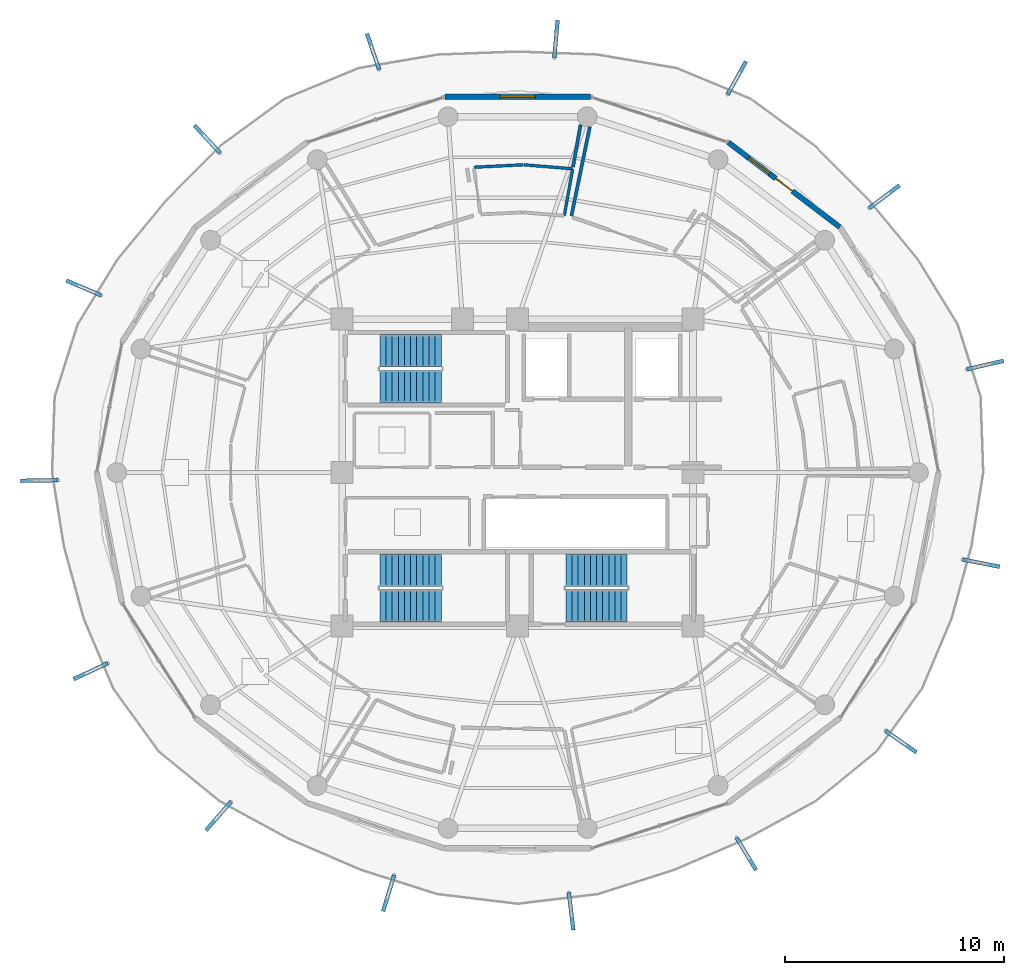
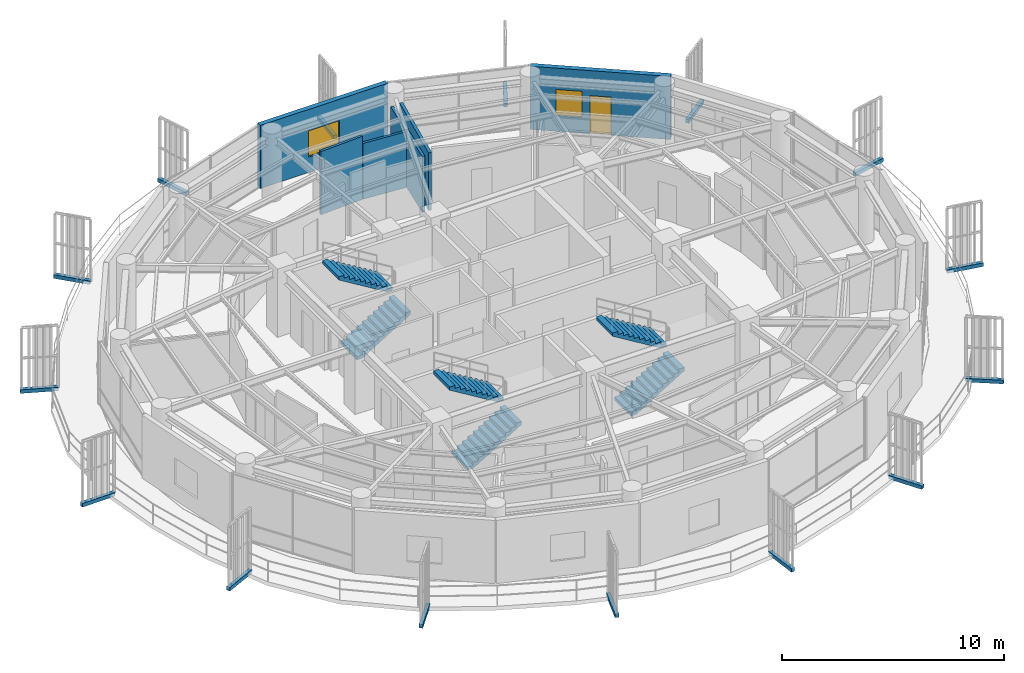
# One storey, part 19 of 23: 15 discrete accessories, 7 walls, 6 stair flights, 2 windows, 1 door, 3 openings, 3 elements without a shape of their own.
"""IFC4 building model written with IfcOpenShell, lengths in metres."""

from ifc_helpers import new_model, si_unit, direction, frame, frame_2d, origin, origin_2d, place, context, subcontext, project, spatial, polyline, rectangle, outline, extrude, source, transform, mapped, material, layer, layer_set, type_object, element, fill, aggregate, save


model = new_model("IFC4")

# Units and contexts
model_context = context("Model", 3, precision=1e-05, world=origin(), true_north=direction((0.0, 1.0)))
body_context = subcontext(model_context, "Body", "Model", "MODEL_VIEW")
ifc_project = project(units=[si_unit("LENGTHUNIT", "METRE"), si_unit("AREAUNIT", "SQUARE_METRE"), si_unit("VOLUMEUNIT", "CUBIC_METRE"), si_unit("PLANEANGLEUNIT", "RADIAN"), si_unit("MASSUNIT", "GRAM", prefix="KILO")], contexts=[model_context])

# Site, building, storey
site_placement = place(None, origin())
site = spatial("IfcSite", under=ifc_project, at=site_placement, CompositionType="ELEMENT")
building_placement = place(site_placement, origin())
building = spatial("IfcBuilding", under=site, at=building_placement, Name="Kelanora Arch Commons", CompositionType="ELEMENT")
storey_placement = place(building_placement, frame((0.0, 0.0, 252.449951171875)))
storey = spatial("IfcBuildingStorey", under=building, at=storey_placement, Name="L64", CompositionType="ELEMENT", Elevation=252.449951171875)

# Walls
ifc_material_1 = material(Name="Autoclaved aerated concrete blockwork with fire plaster", Category="masonry")
ifc_layer_1 = layer(ifc_material_1, 0.14990234375)
ifc_layer_set_1 = layer_set([ifc_layer_1], Name="Autoclaved aerated concrete blockwork with fire plaster")
wall_type_1 = type_object("IfcWallType", Name="W-COMP-150", PredefinedType="PARTITIONING", material=ifc_layer_set_1)
wall_1_placement = place(storey_placement, frame((76.453125, 69.703125, 0.0), z_axis=(0.0, 0.0, 1.0), x_axis=(0.202308141573, 0.979321916355, 0.0)))
element("IfcWall", 1, at=wall_1_placement, inside=storey, type_object=wall_type_1, Name="Co-Living Studio L64-02 Enclosure Partition 2", PredefinedType="PARTITIONING", context=body_context, shape_type="SweptSolid", body=[
    extrude(rectangle(XDim=4.152587890625, YDim=0.14990234375, at=frame_2d((2.076171875, 0.0))), origin(), (0.0, 0.0, 1.0), 3.175048828125),
])
wall_2_placement = place(storey_placement, frame((76.87109375, 73.864013671875, 0.0), z_axis=(0.0, 0.0, 1.0), x_axis=(-0.176100981623, -0.98437210661, 0.0)))
element("IfcWall", 2, at=wall_2_placement, inside=storey, type_object=wall_type_1, Name="Co-Living Studio L64-03 Enclosure Partition 5", PredefinedType="PARTITIONING", context=body_context, shape_type="SweptSolid", body=[
    extrude(rectangle(XDim=1.960205078125, YDim=0.14990234375, at=frame_2d((0.97998046875, 0.0))), origin(), (0.0, 0.0, 1.0), 3.074951171875),
])

# Wall, openings, door, window
ifc_material_2 = material(Name="Precast concrete C40/50 upper-zone terracotta rainscreen", Category="masonry")
ifc_layer_2 = layer(ifc_material_2, 0.239990234375)
ifc_layer_set_2 = layer_set([ifc_layer_2], Name="Precast concrete C40/50 upper-zone terracotta rainscreen")
wall_type_2 = type_object("IfcWallType", Name="W-EXT-TC2", PredefinedType="SOLIDWALL", material=ifc_layer_set_2)
wall_3_placement = place(storey_placement, frame((88.6962890625, 69.193603515625, 0.0), z_axis=(0.0, 0.0, 1.0), x_axis=(-0.796010444211, 0.605282886514, 0.0)))
wall_3 = element("IfcWall", 3, at=wall_3_placement, inside=storey, type_object=wall_type_2, Name="Terracotta Exterior Wall L64-B02", PredefinedType="SOLIDWALL", context=body_context, shape_type="SweptSolid", body=[
    extrude(rectangle(XDim=6.387451171875, YDim=0.239990234375, at=frame_2d((3.19384765625, 0.0))), origin(), (0.0, 0.0, 1.0), 3.47509765625),
])
opening_1_placement = place(wall_3_placement, frame((2.718994140625, 0.0, 0.0)))
opening_1 = element("IfcOpeningElement", 4, at=opening_1_placement, cuts=wall_3, Name="Opening DB-01", PredefinedType="OPENING", context=body_context, shape_type="SweptSolid", body=[
    extrude(rectangle(XDim=0.949951171875, YDim=2.10009765625, at=frame_2d((0.47509765625, 1.050048828125))), frame((0.0, 0.1298828125, 0.0), z_axis=(0.0, -1.0, 0.0), x_axis=(1.0, 0.0, 0.0)), (0.0, 0.0, 1.0), 0.260009765625),
])
opening_2_placement = place(wall_3_placement, frame((4.01904296875, 0.0, 0.85009765625)))
opening_2 = element("IfcOpeningElement", 5, at=opening_2_placement, cuts=wall_3, Name="Opening WN-02", PredefinedType="OPENING", context=body_context, shape_type="SweptSolid", body=[
    extrude(rectangle(XDim=1.199951171875, YDim=1.449951171875, at=frame_2d((0.60009765625, 0.72509765625))), frame((0.0, 0.1298828125, 0.0), z_axis=(0.0, -1.0, 0.0), x_axis=(1.0, 0.0, 0.0)), (0.0, 0.0, 1.0), 0.260009765625),
])
ifc_material_3 = material(Name="Terracotta-aluminium thermally broken glazed balcony door", Category="masonry")
door_type = type_object("IfcDoorType", Name="D-BAL-10", OperationType="NOTDEFINED", PredefinedType="DOOR", material=ifc_material_3)
door_placement = place(opening_1_placement, frame((0.949951171875, 0.0, 0.0), z_axis=(0.0, 0.0, 1.0), x_axis=(-1.0, 0.0, 0.0)))
door = element("IfcDoor", 6, at=door_placement, inside=storey, type_object=door_type, Name="Wave Balcony Door L64-B02", OperationType="SINGLE_SWING_LEFT", OverallHeight=2.10009765625, OverallWidth=0.949951171875, PredefinedType="DOOR", context=body_context, shape_type="SweptSolid", body=[
    extrude(rectangle(XDim=0.949951171875, YDim=2.10009765625, at=frame_2d((0.47509765625, 1.050048828125))), frame((0.0, 0.02490234375, 0.0), z_axis=(0.0, -1.0, 0.0), x_axis=(1.0, 0.0, 0.0)), (0.0, 0.0, 1.0), 0.050048828125),
])
fill(opening_1, door)
ifc_material_4 = material(Name="Terracotta-anodised aluminium frame with operable awning sash", Category="masonry")
window_type_1 = type_object("IfcWindowType", Name="WIN-CL-12", PartitioningType="SINGLE_PANEL", PredefinedType="WINDOW", material=ifc_material_4)
window_1_placement = place(opening_2_placement, origin())
window_1 = element("IfcWindow", 7, at=window_1_placement, inside=storey, type_object=window_type_1, Name="Co-Living Operable Window L64-B02", OverallHeight=1.449951171875, OverallWidth=1.199951171875, PartitioningType="SINGLE_PANEL", PredefinedType="WINDOW", context=body_context, shape_type="SweptSolid", body=[
    extrude(rectangle(XDim=1.199951171875, YDim=1.449951171875, at=frame_2d((0.60009765625, 0.72509765625))), frame((0.0, 0.030029296875, 0.0), z_axis=(0.0, -1.0, 0.0), x_axis=(1.0, 0.0, 0.0)), (0.0, 0.0, 1.0), 0.06005859375),
])
fill(opening_2, window_1)

# Wall, opening, window
wall_4_placement = place(storey_placement, frame((77.319091796875, 75.1357421875, 0.0), z_axis=(0.0, 0.0, 1.0), x_axis=(-1.0, 0.0, 0.0)))
wall_4 = element("IfcWall", 8, at=wall_4_placement, inside=storey, type_object=wall_type_2, Name="Terracotta Exterior Wall L64-B04", PredefinedType="SOLIDWALL", context=body_context, shape_type="SweptSolid", body=[
    extrude(rectangle(XDim=6.63818359375, YDim=0.239990234375, at=frame_2d((3.319091796875, 0.0))), origin(), (0.0, 0.0, 1.0), 3.47509765625),
])
opening_3_placement = place(wall_4_placement, frame((2.51904296875, 0.0, 0.85009765625)))
opening_3 = element("IfcOpeningElement", 9, at=opening_3_placement, cuts=wall_4, Name="Opening WN-01", PredefinedType="OPENING", context=body_context, shape_type="SweptSolid", body=[
    extrude(rectangle(XDim=1.60009765625, YDim=1.449951171875, at=frame_2d((0.800048828125, 0.72509765625))), frame((0.0, 0.1298828125, 0.0), z_axis=(0.0, -1.0, 0.0), x_axis=(1.0, 0.0, 0.0)), (0.0, 0.0, 1.0), 0.260009765625),
])
ifc_material_5 = material(Name="Terracotta-anodised aluminium frame with operable low-E glazing", Category="masonry")
window_type_2 = type_object("IfcWindowType", Name="WIN-CL-18", PartitioningType="DOUBLE_PANEL_VERTICAL", PredefinedType="WINDOW", material=ifc_material_5)
window_2_placement = place(opening_3_placement, origin())
window_2 = element("IfcWindow", 10, at=window_2_placement, inside=storey, type_object=window_type_2, Name="Co-Living Operable Window L64-B04", OverallHeight=1.449951171875, OverallWidth=1.60009765625, PartitioningType="SINGLE_PANEL", PredefinedType="WINDOW", context=body_context, shape_type="SweptSolid", body=[
    extrude(rectangle(XDim=1.60009765625, YDim=1.449951171875, at=frame_2d((0.800048828125, 0.72509765625))), frame((0.0, 0.030029296875, 0.0), z_axis=(0.0, -1.0, 0.0), x_axis=(1.0, 0.0, 0.0)), (0.0, 0.0, 1.0), 0.06005859375),
])
fill(opening_3, window_2)

# Walls
ifc_material_6 = material(Name="Moisture-resistant fire-rated cement-board plumbing wall")
ifc_layer_3 = layer(ifc_material_6, 0.1298828125)
ifc_layer_set_3 = layer_set([ifc_layer_3], Name="Moisture-resistant fire-rated cement-board plumbing wall")
wall_type_3 = type_object("IfcWallType", Name="W-WET-120", PredefinedType="PLUMBINGWALL", material=ifc_layer_set_3)
wall_5_placement = place(storey_placement, frame((72.02197265625, 71.925048828125, 0.0), z_axis=(0.0, 0.0, 1.0), x_axis=(0.998726159472, 0.050458481805, 0.0)))
element("IfcWall", 11, at=wall_5_placement, inside=storey, type_object=wall_type_3, Name="En-Suite Shower WC L64-03 Enclosure Partition 4", PredefinedType="PLUMBINGWALL", context=body_context, shape_type="SweptSolid", body=[
    extrude(rectangle(XDim=2.220947265625, YDim=0.1298828125, at=frame_2d((1.1103515625, 0.0))), origin(), (0.0, 0.0, 1.0), 3.47998046875),
])
wall_6_placement = place(storey_placement, frame((74.27978515625, 72.036376953125, 0.0), z_axis=(0.0, 0.0, 1.0), x_axis=(0.996718024019, -0.080951717687, 0.0)))
element("IfcWall", 12, at=wall_6_placement, inside=storey, type_object=wall_type_3, Name="En-Suite Shower WC L64-03 Enclosure Partition 5", PredefinedType="PLUMBINGWALL", context=body_context, shape_type="SweptSolid", body=[
    extrude(rectangle(XDim=2.2197265625, YDim=0.1298828125, at=frame_2d((1.10986328125, 0.0))), origin(), (0.0, 0.0, 1.0), 3.074951171875),
])
wall_7_placement = place(storey_placement, frame((76.508544921875, 71.835205078125, 0.0), z_axis=(0.0, 0.0, 1.0), x_axis=(-0.176550443794, -0.984291593379, 0.0)))
element("IfcWall", 13, at=wall_7_placement, inside=storey, type_object=wall_type_3, Name="En-Suite Shower WC L64-03 Enclosure Partition 6", PredefinedType="PLUMBINGWALL", context=body_context, shape_type="SweptSolid", body=[
    extrude(rectangle(XDim=2.135009765625, YDim=0.1298828125, at=frame_2d((1.0673828125, 0.0))), origin(), (0.0, 0.0, 1.0), 3.074951171875),
])

# Stair, stair flights
ifc_material_7 = material(Name="Concrete C40/50", Category="concrete")
stair_type = type_object("IfcStairType", Name="STR-DL-375", PredefinedType="HALF_TURN_STAIR", material=ifc_material_7)
stair_1_placement = place(storey_placement, origin())
stair_1 = element("IfcStair", 14, at=stair_1_placement, inside=storey, type_object=stair_type, Name="L64 ST-T1", PredefinedType="HALF_TURN_STAIR")
stair_flight_type = type_object("IfcStairFlightType", Name="FLT-DL-375", PredefinedType="STRAIGHT", material=ifc_material_7)
stair_flight_1_placement = place(storey_placement, frame((67.719970703125, 61.919921875, 0.0), z_axis=(0.0, 0.0, 1.0), x_axis=(1.0, 0.0, 0.0)))
stair_flight_1 = element("IfcStairFlight", 15, at=stair_flight_1_placement, type_object=stair_flight_type, Name="ST-T1 flight 1", NumberOfRisers=11, NumberOfTreads=10, PredefinedType="STRAIGHT", RiserHeight=0.170454545, TreadLength=0.28, context=body_context, shape_type="SweptSolid", body=[
    extrude(outline(polyline([(0.0, 0.0), (0.0, 0.17041015625), (0.280029296875, 0.17041015625), (0.280029296875, 0.3408203125), (0.56005859375, 0.3408203125), (0.56005859375, 0.511474609375), (0.840087890625, 0.511474609375), (0.840087890625, 0.681884765625), (1.1201171875, 0.681884765625), (1.1201171875, 0.852294921875), (1.39990234375, 0.852294921875), (1.39990234375, 1.022705078125), (1.679931640625, 1.022705078125), (1.679931640625, 1.193115234375), (1.9599609375, 1.193115234375), (1.9599609375, 1.363525390625), (2.239990234375, 1.363525390625), (2.239990234375, 1.5341796875), (2.52001953125, 1.5341796875), (2.52001953125, 1.70458984375), (2.800048828125, 1.70458984375), (2.800048828125, 1.875), (2.800048828125, 1.529052734375), (0.288330078125, 0.0), (0.0, 0.0)])), frame((0.0, 0.739990234375, 0.0), z_axis=(0.0, -1.0, 0.0), x_axis=(1.0, 0.0, 0.0)), (0.0, 0.0, 1.0), 1.47998046875),
])
stair_flight_2_placement = place(storey_placement, frame((70.52001953125, 63.550048828125, 1.875), z_axis=(0.0, 0.0, 1.0), x_axis=(-1.0, 0.0, 0.0)))
stair_flight_2 = element("IfcStairFlight", 16, at=stair_flight_2_placement, type_object=stair_flight_type, Name="ST-T1 flight 2", NumberOfRisers=11, NumberOfTreads=10, PredefinedType="STRAIGHT", RiserHeight=0.170454545, TreadLength=0.28, context=body_context, shape_type="SweptSolid", body=[
    extrude(outline(polyline([(0.0, 0.0), (0.0, 0.17041015625), (0.280029296875, 0.17041015625), (0.280029296875, 0.3408203125), (0.56005859375, 0.3408203125), (0.56005859375, 0.511474609375), (0.840087890625, 0.511474609375), (0.840087890625, 0.681884765625), (1.1201171875, 0.681884765625), (1.1201171875, 0.852294921875), (1.39990234375, 0.852294921875), (1.39990234375, 1.022705078125), (1.679931640625, 1.022705078125), (1.679931640625, 1.193115234375), (1.9599609375, 1.193115234375), (1.9599609375, 1.363525390625), (2.239990234375, 1.363525390625), (2.239990234375, 1.5341796875), (2.52001953125, 1.5341796875), (2.52001953125, 1.70458984375), (2.800048828125, 1.70458984375), (2.800048828125, 1.875), (2.800048828125, 1.529052734375), (0.288330078125, 0.0), (0.0, 0.0)])), frame((0.0, 0.739990234375, 0.0), z_axis=(0.0, -1.0, 0.0), x_axis=(1.0, 0.0, 0.0)), (0.0, 0.0, 1.0), 1.47998046875),
])
aggregate(stair_1, [stair_flight_1, stair_flight_2])

stair_2_placement = place(storey_placement, origin())
stair_2 = element("IfcStair", 17, at=stair_2_placement, inside=storey, type_object=stair_type, Name="L64 ST-T2", PredefinedType="HALF_TURN_STAIR")
stair_flight_3_placement = place(storey_placement, frame((76.199951171875, 51.919921875, 0.0), z_axis=(0.0, 0.0, 1.0), x_axis=(1.0, 0.0, 0.0)))
stair_flight_3 = element("IfcStairFlight", 18, at=stair_flight_3_placement, type_object=stair_flight_type, Name="ST-T2 flight 1", NumberOfRisers=11, NumberOfTreads=10, PredefinedType="STRAIGHT", RiserHeight=0.170454545, TreadLength=0.28, context=body_context, shape_type="SweptSolid", body=[
    extrude(outline(polyline([(0.0, 0.0), (0.0, 0.17041015625), (0.280029296875, 0.17041015625), (0.280029296875, 0.3408203125), (0.56005859375, 0.3408203125), (0.56005859375, 0.511474609375), (0.840087890625, 0.511474609375), (0.840087890625, 0.681884765625), (1.1201171875, 0.681884765625), (1.1201171875, 0.852294921875), (1.39990234375, 0.852294921875), (1.39990234375, 1.022705078125), (1.679931640625, 1.022705078125), (1.679931640625, 1.193115234375), (1.9599609375, 1.193115234375), (1.9599609375, 1.363525390625), (2.239990234375, 1.363525390625), (2.239990234375, 1.5341796875), (2.52001953125, 1.5341796875), (2.52001953125, 1.70458984375), (2.800048828125, 1.70458984375), (2.800048828125, 1.875), (2.800048828125, 1.529052734375), (0.288330078125, 0.0), (0.0, 0.0)])), frame((0.0, 0.739990234375, 0.0), z_axis=(0.0, -1.0, 0.0), x_axis=(1.0, 0.0, 0.0)), (0.0, 0.0, 1.0), 1.47998046875),
])
stair_flight_4_placement = place(storey_placement, frame((79.0, 53.550048828125, 1.875), z_axis=(0.0, 0.0, 1.0), x_axis=(-1.0, 0.0, 0.0)))
stair_flight_4 = element("IfcStairFlight", 19, at=stair_flight_4_placement, type_object=stair_flight_type, Name="ST-T2 flight 2", NumberOfRisers=11, NumberOfTreads=10, PredefinedType="STRAIGHT", RiserHeight=0.170454545, TreadLength=0.28, context=body_context, shape_type="SweptSolid", body=[
    extrude(outline(polyline([(0.0, 0.0), (0.0, 0.17041015625), (0.280029296875, 0.17041015625), (0.280029296875, 0.3408203125), (0.56005859375, 0.3408203125), (0.56005859375, 0.511474609375), (0.840087890625, 0.511474609375), (0.840087890625, 0.681884765625), (1.1201171875, 0.681884765625), (1.1201171875, 0.852294921875), (1.39990234375, 0.852294921875), (1.39990234375, 1.022705078125), (1.679931640625, 1.022705078125), (1.679931640625, 1.193115234375), (1.9599609375, 1.193115234375), (1.9599609375, 1.363525390625), (2.239990234375, 1.363525390625), (2.239990234375, 1.5341796875), (2.52001953125, 1.5341796875), (2.52001953125, 1.70458984375), (2.800048828125, 1.70458984375), (2.800048828125, 1.875), (2.800048828125, 1.529052734375), (0.288330078125, 0.0), (0.0, 0.0)])), frame((0.0, 0.739990234375, 0.0), z_axis=(0.0, -1.0, 0.0), x_axis=(1.0, 0.0, 0.0)), (0.0, 0.0, 1.0), 1.47998046875),
])
aggregate(stair_2, [stair_flight_3, stair_flight_4])

stair_3_placement = place(storey_placement, origin())
stair_3 = element("IfcStair", 20, at=stair_3_placement, inside=storey, type_object=stair_type, Name="L64 ST-T3", PredefinedType="HALF_TURN_STAIR")
stair_flight_5_placement = place(storey_placement, frame((67.719970703125, 51.919921875, 0.0), z_axis=(0.0, 0.0, 1.0), x_axis=(1.0, 0.0, 0.0)))
stair_flight_5 = element("IfcStairFlight", 21, at=stair_flight_5_placement, type_object=stair_flight_type, Name="ST-T3 flight 1", NumberOfRisers=11, NumberOfTreads=10, PredefinedType="STRAIGHT", RiserHeight=0.170454545, TreadLength=0.28, context=body_context, shape_type="SweptSolid", body=[
    extrude(outline(polyline([(0.0, 0.0), (0.0, 0.17041015625), (0.280029296875, 0.17041015625), (0.280029296875, 0.3408203125), (0.56005859375, 0.3408203125), (0.56005859375, 0.511474609375), (0.840087890625, 0.511474609375), (0.840087890625, 0.681884765625), (1.1201171875, 0.681884765625), (1.1201171875, 0.852294921875), (1.39990234375, 0.852294921875), (1.39990234375, 1.022705078125), (1.679931640625, 1.022705078125), (1.679931640625, 1.193115234375), (1.9599609375, 1.193115234375), (1.9599609375, 1.363525390625), (2.239990234375, 1.363525390625), (2.239990234375, 1.5341796875), (2.52001953125, 1.5341796875), (2.52001953125, 1.70458984375), (2.800048828125, 1.70458984375), (2.800048828125, 1.875), (2.800048828125, 1.529052734375), (0.288330078125, 0.0), (0.0, 0.0)])), frame((0.0, 0.739990234375, 0.0), z_axis=(0.0, -1.0, 0.0), x_axis=(1.0, 0.0, 0.0)), (0.0, 0.0, 1.0), 1.47998046875),
])
stair_flight_6_placement = place(storey_placement, frame((70.52001953125, 53.550048828125, 1.875), z_axis=(0.0, 0.0, 1.0), x_axis=(-1.0, 0.0, 0.0)))
stair_flight_6 = element("IfcStairFlight", 22, at=stair_flight_6_placement, type_object=stair_flight_type, Name="ST-T3 flight 2", NumberOfRisers=11, NumberOfTreads=10, PredefinedType="STRAIGHT", RiserHeight=0.170454545, TreadLength=0.28, context=body_context, shape_type="SweptSolid", body=[
    extrude(outline(polyline([(0.0, 0.0), (0.0, 0.17041015625), (0.280029296875, 0.17041015625), (0.280029296875, 0.3408203125), (0.56005859375, 0.3408203125), (0.56005859375, 0.511474609375), (0.840087890625, 0.511474609375), (0.840087890625, 0.681884765625), (1.1201171875, 0.681884765625), (1.1201171875, 0.852294921875), (1.39990234375, 0.852294921875), (1.39990234375, 1.022705078125), (1.679931640625, 1.022705078125), (1.679931640625, 1.193115234375), (1.9599609375, 1.193115234375), (1.9599609375, 1.363525390625), (2.239990234375, 1.363525390625), (2.239990234375, 1.5341796875), (2.52001953125, 1.5341796875), (2.52001953125, 1.70458984375), (2.800048828125, 1.70458984375), (2.800048828125, 1.875), (2.800048828125, 1.529052734375), (0.288330078125, 0.0), (0.0, 0.0)])), frame((0.0, 0.739990234375, 0.0), z_axis=(0.0, -1.0, 0.0), x_axis=(1.0, 0.0, 0.0)), (0.0, 0.0, 1.0), 1.47998046875),
])
aggregate(stair_3, [stair_flight_5, stair_flight_6])

# Discrete accessories
ifc_material_8 = material(Name="Stainless steel 316 marine fin bracket", Category="steel")
discrete_accessory_type = type_object("IfcDiscreteAccessoryType", Name="ACC-FIN-BRK", PredefinedType="BRACKET", material=ifc_material_8)
shared_shape = source(origin(), body_context, "Body", "SweptSolid", [
    extrude(rectangle(XDim=1.71923828125, YDim=0.179931640625, at=origin_2d()), origin(), (0.0, 0.0, 1.0), 0.199951171875),
])
for number, where, z_axis, x_axis, name in (
    (23, (91.482421875, 45.735107421875, -0.16015625), (0.0, 0.0, 1.0), (0.818651192576, -0.574291062871, 0.0), "Sweeping Fin Cantilever Spine Bracket L64-00"),
    (24, (95.14306640625, 53.870361328125, -0.16015625), (0.0, 0.0, 1.0), (0.981460297432, -0.191665553932, 0.0), "Sweeping Fin Cantilever Spine Bracket L64-01"),
    (25, (95.322998046875, 62.902587890625, -0.16015625), (0.0, 0.0, 1.0), (0.974566000575, 0.224100670509, 0.0), "Sweeping Fin Cantilever Spine Bracket L64-02"),
    (26, (90.72314453125, 70.577880859375, -0.16015625), (0.0, 0.0, 1.0), (0.799160388565, 0.601117853128, 0.0), "Sweeping Fin Cantilever Spine Bracket L64-03"),
    (27, (83.997802734375, 75.998046875, -0.16015625), (0.0, 0.0, 1.0), (0.485572685227, 0.874196297957, 0.0), "Sweeping Fin Cantilever Spine Bracket L64-04"),
    (28, (75.748291015625, 77.77490234375, -0.16015625), (0.0, 0.0, 1.0), (0.088025053325, 0.996118261045, 0.0), "Sweeping Fin Cantilever Spine Bracket L64-05"),
    (29, (67.40771484375, 77.20166015625, -0.16015625), (0.0, 0.0, 1.0), (-0.324742909981, 0.945802327348, 0.0), "Sweeping Fin Cantilever Spine Bracket L64-06"),
    (30, (59.84423828125, 73.207763671875, -0.16015625), (0.0, 0.0, 1.0), (-0.681359873953, 0.731948578909, 0.0), "Sweeping Fin Cantilever Spine Bracket L64-07"),
    (31, (54.210205078125, 66.42138671875, -0.16015625), (0.0, 0.0, 1.0), (-0.920163525759, 0.391534271632, 0.0), "Sweeping Fin Cantilever Spine Bracket L64-08"),
    (32, (52.185302734375, 57.638916015625, -0.16015625), (0.0, 0.0, 1.0), (-0.999862544538, -0.016579868188, 0.0), "Sweeping Fin Cantilever Spine Bracket L64-09"),
    (33, (54.531982421875, 48.943359375, -0.16015625), (0.0, 0.0, 1.0), (-0.906676245901, -0.421827198174, 0.0), "Sweeping Fin Cantilever Spine Bracket L64-10"),
    (34, (60.35791015625, 42.335205078125, -0.16015625), (0.0, 0.0, 1.0), (-0.656717387452, -0.754136773416, 0.0), "Sweeping Fin Cantilever Spine Bracket L64-11"),
    (35, (68.115478515625, 38.814697265625, -0.16015625), (0.0, 0.0, 1.0), (-0.293206126622, -0.956049249417, 0.0), "Sweeping Fin Cantilever Spine Bracket L64-12"),
    (36, (76.438720703125, 37.98828125, -0.16015625), (0.0, 0.0, 1.0), (0.121003137194, -0.992652124759, 0.0), "Sweeping Fin Cantilever Spine Bracket L64-13"),
    (37, (84.4287109375, 40.608154296875, -0.16015625), (0.0, 0.0, 1.0), (0.514289859311, -0.857616429769, 0.0), "Sweeping Fin Cantilever Spine Bracket L64-14"),
):
    element("IfcDiscreteAccessory", number, at=place(storey_placement, frame(where, z_axis=z_axis, x_axis=x_axis)), inside=storey, type_object=discrete_accessory_type, Name=name, PredefinedType="BRACKET", context=body_context, shape_type="MappedRepresentation", body=[
        mapped(shared_shape, transform((0.0, 0.0, 0.0), scale=1.0)),
    ])

save(model, "model.ifc")
